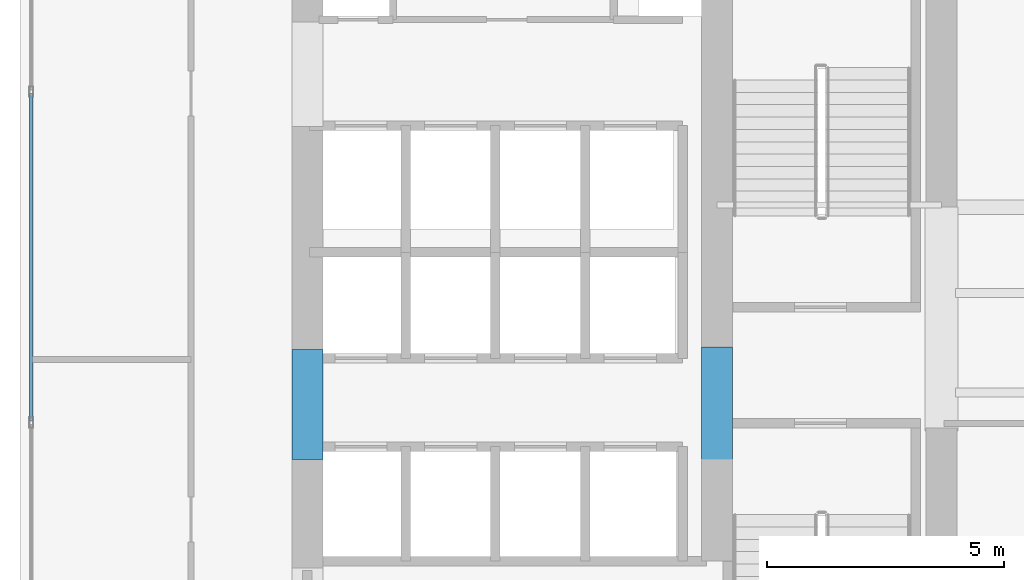
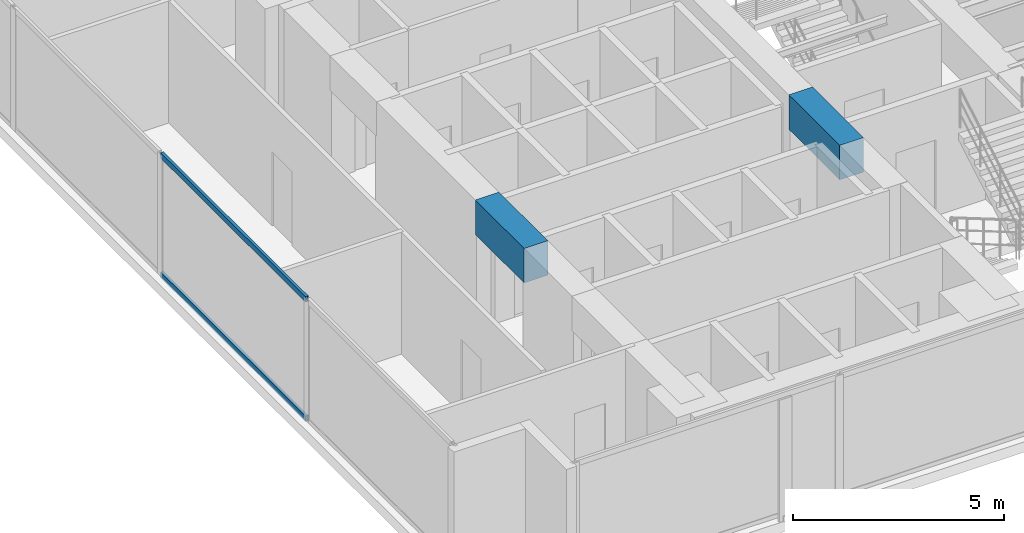
# One storey, part 3 of 26: 2 beams, 2 members, 1 element without a shape of its own.
"""IFC4 building model written with IfcOpenShell, lengths in metres."""

from ifc_helpers import new_model, si_unit, direction, frame, origin, origin_with_axes, origin_2d, place, context, subcontext, project, spatial, rectangle, hollow_rectangle, extrude, source, transform, mapped, material, layer, layer_set, material_profile, profile_set, type_object, element, aggregate, save


model = new_model("IFC4")

# Units and contexts
model_context = context("Model", 3, precision=1e-05, world=origin(), true_north=direction((0.0, 1.0)))
body_context = subcontext(model_context, "Body", "Model", "MODEL_VIEW")
ifc_project = project(units=[si_unit("LENGTHUNIT", "METRE"), si_unit("AREAUNIT", "SQUARE_METRE"), si_unit("VOLUMEUNIT", "CUBIC_METRE"), si_unit("PLANEANGLEUNIT", "RADIAN"), si_unit("MASSUNIT", "GRAM", prefix="KILO")], contexts=[model_context])

# Site, building, storey
site_placement = place(None, origin())
site = spatial("IfcSite", under=ifc_project, at=site_placement, CompositionType="ELEMENT")
building_placement = place(site_placement, origin())
building = spatial("IfcBuilding", under=site, at=building_placement, Name="Kolvaren Waterfront Exchange", CompositionType="ELEMENT")
storey_placement = place(building_placement, frame((0.0, 0.0, 110.699951171875)))
storey = spatial("IfcBuildingStorey", under=building, at=storey_placement, Name="L28", CompositionType="ELEMENT", Elevation=110.699951171875)

# Beams
ifc_material_1 = material(Name="Concrete C60/75", Category="concrete")
ifc_material_profile_1 = material_profile(ifc_material_1, rectangle(XDim=0.64990234375, YDim=1.0, at=origin_2d()), Name="RC-CB-1000x650")
ifc_profile_set_1 = profile_set([ifc_material_profile_1], Name="Concrete C60/75")
beam_type = type_object("IfcBeamType", Name="STR-CB-1000", PredefinedType="SPANDREL", material=ifc_profile_set_1)
beam_1_placement = place(storey_placement, frame((7.449951171875, 12.090087890625, 3.0400390625), z_axis=(0.0, 1.0, 0.0), x_axis=(-1.0, 0.0, 0.0)))
element("IfcBeam", 1, at=beam_1_placement, inside=storey, type_object=beam_type, Name="L28 core coupling beam 4", PredefinedType="SPANDREL", context=body_context, shape_type="SweptSolid", body=[
    extrude(rectangle(XDim=0.64990234375, YDim=1.0, at=origin_2d()), origin(), (0.0, 0.0, 1.0), 2.31982421875),
])
beam_2_placement = place(storey_placement, frame((16.074951171875, 12.0400390625, 3.0400390625), z_axis=(0.0, 1.0, 0.0), x_axis=(-1.0, 0.0, 0.0)))
element("IfcBeam", 2, at=beam_2_placement, inside=storey, type_object=beam_type, Name="L28 core coupling beam 6", PredefinedType="SPANDREL", context=body_context, shape_type="SweptSolid", body=[
    extrude(rectangle(XDim=0.64990234375, YDim=1.0, at=origin_2d()), origin(), (0.0, 0.0, 1.0), 2.419921875),
])

# Curtain wall, members
ifc_material_2 = material(Name="Anodised aluminium 6063-T6", Category="aluminium")
ifc_layer = layer(ifc_material_2, 0.219970703125, Name="Anodised aluminium 6063-T6")
ifc_layer_set = layer_set([ifc_layer], Name="Anodised aluminium 6063-T6")
curtain_wall_type = type_object("IfcCurtainWallType", Name="ARC-CW-SYS2", PredefinedType="USERDEFINED", material=ifc_layer_set)
curtain_wall_placement = place(storey_placement, origin())
curtain_wall = element("IfcCurtainWall", 3, at=curtain_wall_placement, inside=storey, type_object=curtain_wall_type, Name="L28 stick curtain wall CW2 (CW-L28-W)", ObjectType="STICK CURTAIN WALL", PredefinedType="USERDEFINED")
ifc_material_profile_2 = material_profile(ifc_material_2, hollow_rectangle(XDim=0.074951171875, YDim=0.159912109375, WallThickness=0.00439453125, at=origin_2d()), Name="ALU-TRN-160x75x4.5")
ifc_profile_set_2 = profile_set([ifc_material_profile_2], Name="Anodised aluminium 6063-T6")
member_type = type_object("IfcMemberType", Name="ARC-CWT-160", PredefinedType="USERDEFINED", material=ifc_profile_set_2)
shared_shape = source(origin_with_axes(), body_context, "Body", "SweptSolid", [
    extrude(hollow_rectangle(XDim=0.074951171875, YDim=0.159912109375, WallThickness=0.00439453125, at=origin_2d()), origin(), (0.0, 0.0, 1.0), 6.886474609375),
])
member_1_placement = place(storey_placement, frame((1.639892578125, 12.90673828125, 0.03759765625), z_axis=(0.0, 1.0, 0.0), x_axis=(-1.0, 0.0, 0.0)))
member_1 = element("IfcMember", 4, at=member_1_placement, type_object=member_type, Name="CW2 transom 2.1", ObjectType="TRANSOM", PredefinedType="USERDEFINED", context=body_context, shape_type="MappedRepresentation", body=[
    mapped(shared_shape, transform((0.0, 0.0, 0.0), x_axis=(1.0, 0.0, 0.0), y_axis=(0.0, 1.0, 0.0), z_axis=(0.0, 0.0, 1.0), scale=1.0)),
])
member_2_placement = place(storey_placement, frame((1.639892578125, 12.90673828125, 3.50244140625), z_axis=(0.0, 1.0, 0.0), x_axis=(-1.0, 0.0, 0.0)))
member_2 = element("IfcMember", 5, at=member_2_placement, type_object=member_type, Name="CW2 transom 2.2", ObjectType="TRANSOM", PredefinedType="USERDEFINED", context=body_context, shape_type="MappedRepresentation", body=[
    mapped(shared_shape, transform((0.0, 0.0, 0.0), x_axis=(1.0, 0.0, 0.0), y_axis=(0.0, 1.0, 0.0), z_axis=(0.0, 0.0, 1.0), scale=1.0)),
])
aggregate(curtain_wall, [member_1, member_2])

save(model, "model.ifc")
